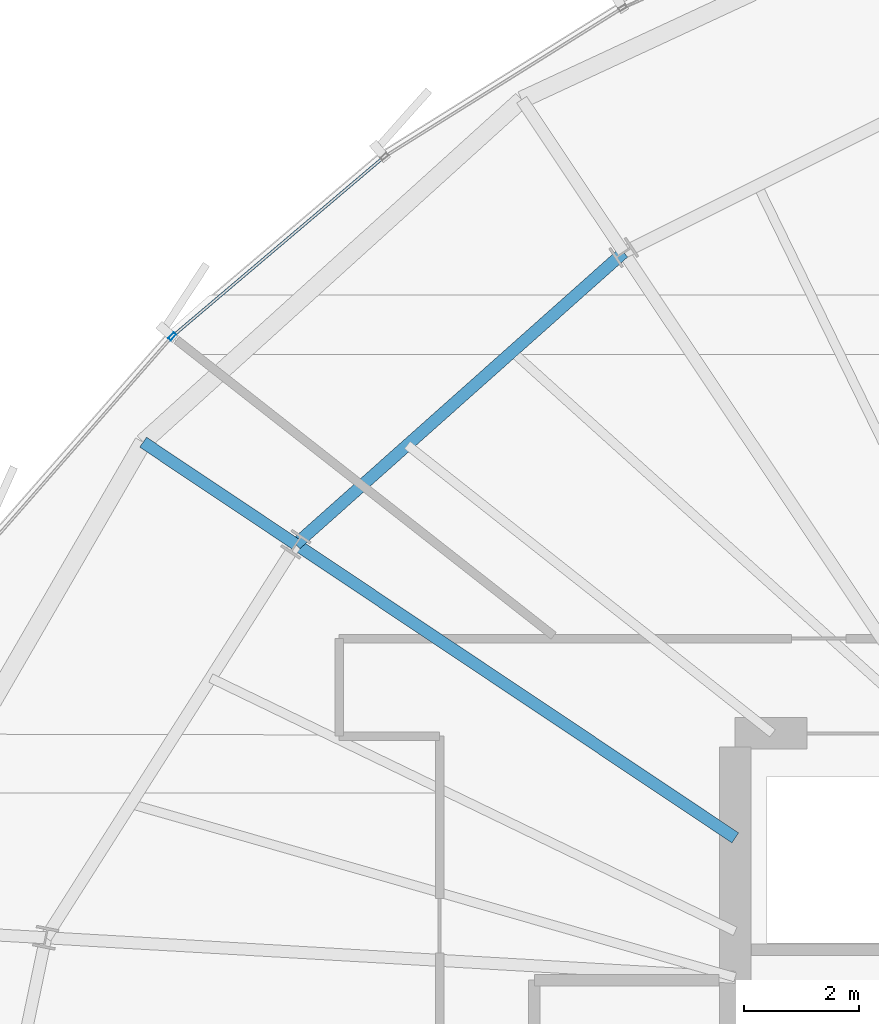
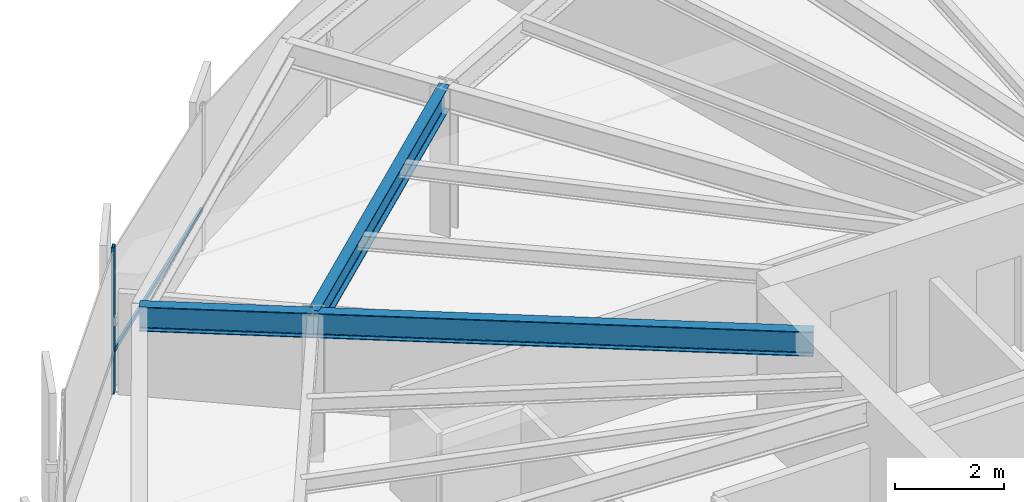
# One storey, part 18 of 35: 3 beams, 2 members, 1 element without a shape of its own.
"""IFC4 building model written with IfcOpenShell, lengths in metres."""

from ifc_helpers import new_model, si_unit, direction, frame, origin, origin_2d, place, context, subcontext, project, spatial, hollow_rectangle, i_section, extrude, source, transform, mapped, material, layer, layer_set, material_profile, profile_set, type_object, element, aggregate, save


model = new_model("IFC4")

# Units and contexts
model_context = context("Model", 3, precision=1e-05, world=origin(), true_north=direction((0.0, 1.0)))
body_context = subcontext(model_context, "Body", "Model", "MODEL_VIEW")
ifc_project = project(units=[si_unit("LENGTHUNIT", "METRE"), si_unit("AREAUNIT", "SQUARE_METRE"), si_unit("VOLUMEUNIT", "CUBIC_METRE"), si_unit("PLANEANGLEUNIT", "RADIAN"), si_unit("MASSUNIT", "GRAM", prefix="KILO"), si_unit("THERMODYNAMICTEMPERATUREUNIT", "KELVIN")], contexts=[model_context])

# Site, building, storey
site_placement = place(None, origin())
site = spatial("IfcSite", under=ifc_project, at=site_placement, CompositionType="ELEMENT")
building_placement = place(site_placement, origin())
building = spatial("IfcBuilding", under=site, at=building_placement, Name="Kethvar Cultural Tower", CompositionType="ELEMENT")
storey_placement = place(building_placement, frame((0.0, 0.0, 146.550048828125)))
storey = spatial("IfcBuildingStorey", under=building, at=storey_placement, Name="L37", CompositionType="ELEMENT", Elevation=146.550048828125)

# Beams
ifc_material_1 = material(Name="Steel S355J2", Category="steel")
ifc_material_profile_1 = material_profile(ifc_material_1, i_section(OverallWidth=0.2099609375, OverallDepth=0.550048828125, WebThickness=0.010986328125, FlangeThickness=0.01708984375, FilletRadius=0.02392578125, at=origin_2d()), Name="Steel S355J2 — IPE550")
ifc_profile_set_1 = profile_set([ifc_material_profile_1], Name="Steel S355J2 — IPE550")
beam_type = type_object("IfcBeamType", Name="BM-IPE550", PredefinedType="BEAM", material=ifc_profile_set_1)
shared_shape_1 = source(origin(), body_context, "Body", "SweptSolid", [
    extrude(i_section(OverallWidth=0.2099609375, OverallDepth=0.550048828125, WebThickness=0.010986328125, FlangeThickness=0.01708984375, FilletRadius=0.02392578125, at=origin_2d()), origin(), (0.0, 0.0, 1.0), 3.199951171875),
])
beam_1_placement = place(storey_placement, frame((30.345947265625, 38.794189453125, 3.02294921875), z_axis=(-0.831462943996, 0.555580212716, 0.0), x_axis=(-0.555580212716, -0.831462943996, 0.0)))
element("IfcBeam", 1, at=beam_1_placement, inside=storey, type_object=beam_type, Name="L37 Perimeter Cantilever Beam RC-07", PredefinedType="BEAM", context=body_context, shape_type="MappedRepresentation", body=[
    mapped(shared_shape_1, transform((0.0, 0.0, 0.0), scale=1.0)),
])
shared_shape_2 = source(origin(), body_context, "Body", "SweptSolid", [
    extrude(i_section(OverallWidth=0.2099609375, OverallDepth=0.550048828125, WebThickness=0.010986328125, FlangeThickness=0.01708984375, FilletRadius=0.02392578125, at=origin_2d()), origin(), (0.0, 0.0, 1.0), 9.205322265625),
])
beam_2_placement = place(storey_placement, frame((38.0, 33.679931640625, 3.02294921875), z_axis=(-0.831470451236, 0.555568977465, 0.0), x_axis=(-0.555568977465, -0.831470451236, 0.0)))
element("IfcBeam", 2, at=beam_2_placement, inside=storey, type_object=beam_type, Name="L37 Primary Radial Beam RB-07", PredefinedType="BEAM", context=body_context, shape_type="MappedRepresentation", body=[
    mapped(shared_shape_2, transform((0.0, 0.0, 0.0), scale=1.0)),
])
shared_shape_3 = source(origin(), body_context, "Body", "SweptSolid", [
    extrude(i_section(OverallWidth=0.2099609375, OverallDepth=0.550048828125, WebThickness=0.010986328125, FlangeThickness=0.01708984375, FilletRadius=0.02392578125, at=origin_2d()), origin(), (0.0, 0.0, 1.0), 7.64599609375),
])
beam_3_placement = place(storey_placement, frame((36.0576171875, 43.877197265625, 3.02294921875), z_axis=(-0.747021617367, -0.66479974668, 0.0), x_axis=(0.66479974668, -0.747021617367, 0.0)))
element("IfcBeam", 3, at=beam_3_placement, inside=storey, type_object=beam_type, Name="L37 Column Ring Tie Beam CR-06", PredefinedType="BEAM", context=body_context, shape_type="MappedRepresentation", body=[
    mapped(shared_shape_3, transform((0.0, 0.0, 0.0), scale=1.0)),
])

# Curtain wall, members
ifc_material_2 = material(Name="Aluminium 6063-T6", Category="aluminium")
ifc_layer = layer(ifc_material_2, 0.179931640625, Name="Aluminium 6063-T6", Category="aluminium")
ifc_layer_set = layer_set([ifc_layer], Name="Aluminium 6063-T6 (180 mm)")
curtain_wall_type = type_object("IfcCurtainWallType", Name="CW-SYS-04-Z34", PredefinedType="NOTDEFINED", material=ifc_layer_set)
curtain_wall_placement = place(storey_placement, origin())
curtain_wall = element("IfcCurtainWall", 4, at=curtain_wall_placement, inside=storey, type_object=curtain_wall_type, Name="L37 Curtain Wall Run 02", PredefinedType="NOTDEFINED")
ifc_material_profile_2 = material_profile(ifc_material_2, hollow_rectangle(XDim=0.06005859375, YDim=0.139892578125, WallThickness=0.0048828125, at=origin_2d()), Name="Aluminium 6063-T6 — RHS140x60x5")
ifc_profile_set_2 = profile_set([ifc_material_profile_2], Name="Aluminium 6063-T6 — RHS140x60x5")
member_type_1 = type_object("IfcMemberType", Name="CW-SYS-04-Z34-MUL", PredefinedType="MULLION", material=ifc_profile_set_2)
shared_shape_4 = source(origin(), body_context, "Body", "SweptSolid", [
    extrude(hollow_rectangle(XDim=0.06005859375, YDim=0.139892578125, WallThickness=0.0048828125, at=origin_2d()), origin(), (0.0, 0.0, 1.0), 3.300048828125),
])
member_1_placement = place(storey_placement, frame((28.191650390625, 42.414794921875, 0.0), z_axis=(0.0, 0.0, 1.0), x_axis=(0.752656280648, -0.658413641414, 0.0)))
member_1 = element("IfcMember", 5, at=member_1_placement, type_object=member_type_1, Name="CW-L37-R02 Mullion 6", PredefinedType="MULLION", context=body_context, shape_type="MappedRepresentation", body=[
    mapped(shared_shape_4, transform((0.0, 0.0, 0.0), scale=1.0)),
])
ifc_material_profile_3 = material_profile(ifc_material_2, hollow_rectangle(XDim=0.050048828125, YDim=0.10009765625, WallThickness=0.00390625, at=origin_2d()), Name="Aluminium 6063-T6 — RHS100x50x4")
ifc_profile_set_3 = profile_set([ifc_material_profile_3], Name="Aluminium 6063-T6 — RHS100x50x4")
member_type_2 = type_object("IfcMemberType", Name="CW-SYS-04-Z34-TRN", PredefinedType="USERDEFINED", material=ifc_profile_set_3)
shared_shape_5 = source(origin(), body_context, "Body", "SweptSolid", [
    extrude(hollow_rectangle(XDim=0.050048828125, YDim=0.10009765625, WallThickness=0.00390625, at=origin_2d()), origin(), (0.0, 0.0, 1.0), 4.775390625),
])
member_2_placement = place(storey_placement, frame((31.855712890625, 45.51904296875, 0.949951171875), z_axis=(-0.762817811015, -0.646613475887, 0.0), x_axis=(0.646613475887, -0.762817811015, 0.0)))
member_2 = element("IfcMember", 6, at=member_2_placement, type_object=member_type_2, Name="CW-L37-R02 Transom 5", ObjectType="TRANSOM", PredefinedType="USERDEFINED", context=body_context, shape_type="MappedRepresentation", body=[
    mapped(shared_shape_5, transform((0.0, 0.0, 0.0), scale=1.0)),
])
aggregate(curtain_wall, [member_1, member_2])

save(model, "model.ifc")
